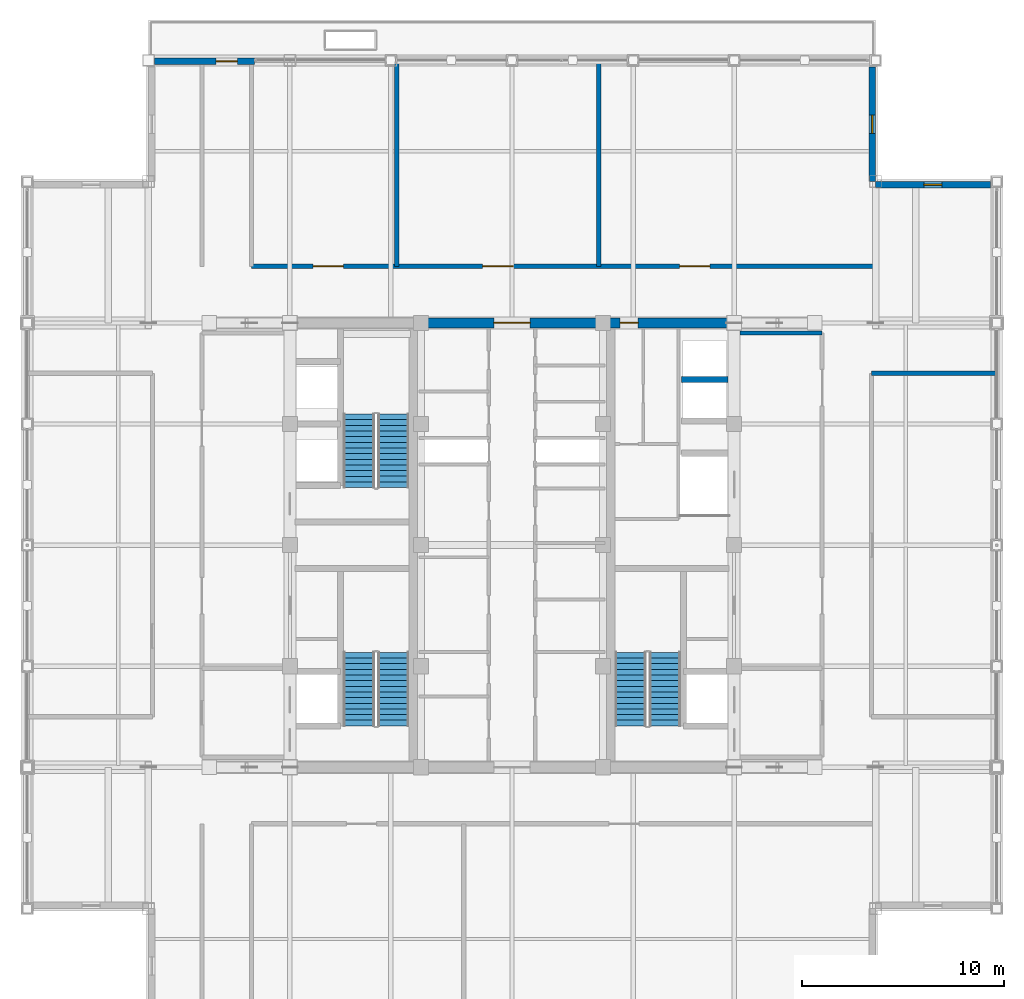
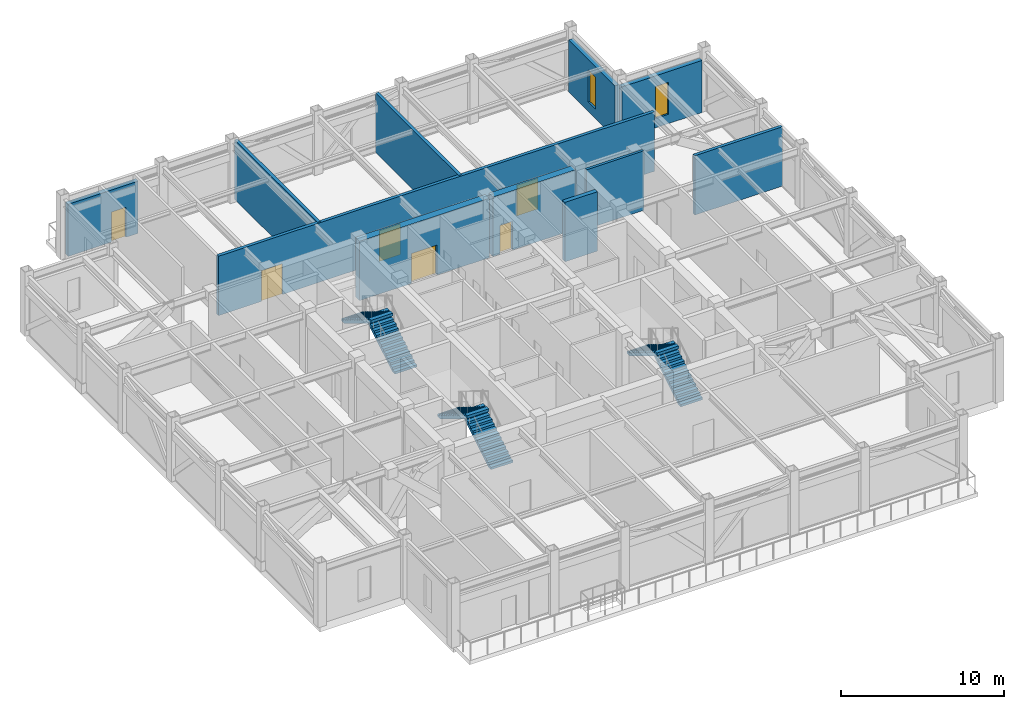
# One storey, part 29 of 32: 11 walls, 6 doors, 6 stair flights, 2 windows, 8 openings, 3 elements without a shape of their own.
"""IFC4 building model written with IfcOpenShell, lengths in metres."""

import ifcopenshell
import ifcopenshell.guid

model = None  # the IFC model being written
_history = None  # IfcOwnerHistory: only IFC2X3 demands one
_inside = {}  # id of a spatial element -> (the spatial element, [elements in it])
_under = {}  # id of a project, library or spatial element -> (it, [spatial elements below it])
_declared = {}  # id of a project -> (the project, [libraries it declares])
_typed = {}  # id of a type object -> (the type object, [elements of that type])
_made_of = {}  # id of a material, layer set ... -> (it, [elements and type objects made of it])


def new_model(schema):
    """Start an empty IFC model of exactly this schema.

    Asked for "IFC4X3", IfcOpenShell would pick the latest addendum, in which some entities
    have other attributes; the version numbers below select the first issue.
    IFC2X3 requires an IfcOwnerHistory on every rooted entity: one is made here for all.
    """
    global model, _history
    if schema == "IFC4X3":
        model = ifcopenshell.file(schema_version=(4, 3, 0, 0))
    else:
        model = ifcopenshell.file(schema=schema)
    _inside.clear()
    _under.clear()
    _declared.clear()
    _typed.clear()
    _made_of.clear()
    _history = None
    if model.schema == "IFC2X3":
        org = make("IfcOrganization", Name="unknown")
        user = make(
            "IfcPersonAndOrganization",
            ThePerson=make("IfcPerson", FamilyName="unknown"),
            TheOrganization=org,
        )
        app = make(
            "IfcApplication",
            ApplicationDeveloper=org,
            Version="unknown",
            ApplicationFullName="unknown",
            ApplicationIdentifier="unknown",
        )
        _history = make(
            "IfcOwnerHistory",
            OwningUser=user,
            OwningApplication=app,
            ChangeAction="ADDED",
            CreationDate=0,
        )
    return model


def make(cls, **values):
    """One entity of the class cls with the attributes given. An attribute that is None is left unset."""
    return model.create_entity(
        cls, **{name: value for name, value in values.items() if value is not None}
    )


def rooted(cls, **values):
    """An entity with a GlobalId (a new one), such as an element, a storey or a relation."""
    return make(cls, GlobalId=ifcopenshell.guid.new(), OwnerHistory=_history, **values)


def si_unit(unit_type, name, prefix=None):
    """IfcSIUnit, for example si_unit("LENGTHUNIT", "METRE", prefix="MILLI")."""
    return make("IfcSIUnit", UnitType=unit_type, Prefix=prefix, Name=name)


def assignment(units):
    """IfcUnitAssignment: the units of a project."""
    return None if units is None else make("IfcUnitAssignment", Units=units)


def point(xyz):
    """IfcCartesianPoint."""
    return None if xyz is None else make("IfcCartesianPoint", Coordinates=xyz)


def direction(xyz):
    """IfcDirection."""
    return None if xyz is None else make("IfcDirection", DirectionRatios=xyz)


def frame(location, z_axis=None, x_axis=None):
    """IfcAxis2Placement3D, a coordinate frame: its origin and axes. An axis left out is left unset."""
    return make(
        "IfcAxis2Placement3D",
        Location=point(location),
        Axis=direction(z_axis),
        RefDirection=direction(x_axis),
    )


def frame_2d(location, x_axis=None):
    """IfcAxis2Placement2D, a coordinate frame in the plane: its origin and x axis."""
    return make(
        "IfcAxis2Placement2D", Location=point(location), RefDirection=direction(x_axis)
    )


def origin():
    """The frame at (0, 0, 0) with its axes left unset."""
    return frame((0.0, 0.0, 0.0))


def place(relative_to, where):
    """IfcLocalPlacement: puts the frame where relative to a parent placement (None: the world)."""
    return make(
        "IfcLocalPlacement", PlacementRelTo=relative_to, RelativePlacement=where
    )


def context(
    kind, dimensions, precision=None, world=None, true_north=None, identifier=None
):
    """IfcGeometricRepresentationContext, for example the 3D "Model" context."""
    return make(
        "IfcGeometricRepresentationContext",
        ContextIdentifier=identifier,
        ContextType=kind,
        CoordinateSpaceDimension=dimensions,
        Precision=precision,
        WorldCoordinateSystem=world,
        TrueNorth=true_north,
    )


def subcontext(parent, identifier, kind, view, scale=None):
    """IfcGeometricRepresentationSubContext, for example "Body" below "Model"."""
    return make(
        "IfcGeometricRepresentationSubContext",
        ContextIdentifier=identifier,
        ContextType=kind,
        ParentContext=parent,
        TargetScale=scale,
        TargetView=view,
    )


def project(units=None, contexts=None):
    """IfcProject with its units and contexts."""
    return rooted(
        "IfcProject",
        Name="project",
        RepresentationContexts=contexts,
        UnitsInContext=assignment(units),
    )


def spatial(cls, under=None, at=None, **own):
    """A site, building, storey or space (cls), placed at a placement, below another one or the project."""
    s = rooted(cls, ObjectPlacement=at, **own)
    if under is not None:
        _under.setdefault(under.id(), (under, []))[1].append(s)
    return s


def polyline(points):
    """IfcPolyline through the points."""
    return make("IfcPolyline", Points=[point(p) for p in points])


def profile(cls, at=None, kind="AREA", **sizes):
    """A parametric profile (cls). Its sizes go by their IFC names, for example OverallWidth=200.0."""
    return make(cls, ProfileType=kind, Position=at, **sizes)


def rectangle(**sizes):
    """IfcRectangleProfileDef."""
    return profile("IfcRectangleProfileDef", **sizes)


def outline(outer, holes=None, kind="AREA"):
    """IfcArbitraryClosedProfileDef: a profile drawn as a closed curve; with holes, ...WithVoids."""
    if holes is None:
        return make("IfcArbitraryClosedProfileDef", ProfileType=kind, OuterCurve=outer)
    return make(
        "IfcArbitraryProfileDefWithVoids",
        ProfileType=kind,
        OuterCurve=outer,
        InnerCurves=holes,
    )


def extrude(swept, where, along, depth):
    """IfcExtrudedAreaSolid: the profile swept, set in the frame where, extruded along a direction by depth."""
    return make(
        "IfcExtrudedAreaSolid",
        SweptArea=swept,
        Position=where,
        ExtrudedDirection=direction(along),
        Depth=depth,
    )


def shape(context_of_items, identifier, shape_type, items):
    """IfcShapeRepresentation: the items that make up one representation, for example the "Body"."""
    return make(
        "IfcShapeRepresentation",
        ContextOfItems=context_of_items,
        RepresentationIdentifier=identifier,
        RepresentationType=shape_type,
        Items=items,
    )


def source(mapping_origin, context_of_items, identifier, shape_type, items):
    """IfcRepresentationMap: a shape defined once, which mapped items show again and again."""
    return make(
        "IfcRepresentationMap",
        MappingOrigin=mapping_origin,
        MappedRepresentation=shape(context_of_items, identifier, shape_type, items),
    )


def transform(
    local_origin,
    x_axis=None,
    y_axis=None,
    z_axis=None,
    scale=None,
    scale2=None,
    scale3=None,
    uniform=True,
):
    """IfcCartesianTransformationOperator3D, or its non-uniform kind. x_axis, y_axis, z_axis: its Axis1, 2, 3."""
    if uniform:
        return make(
            "IfcCartesianTransformationOperator3D",
            Axis1=direction(x_axis),
            Axis2=direction(y_axis),
            LocalOrigin=point(local_origin),
            Scale=scale,
            Axis3=direction(z_axis),
        )
    return make(
        "IfcCartesianTransformationOperator3DnonUniform",
        Axis1=direction(x_axis),
        Axis2=direction(y_axis),
        LocalOrigin=point(local_origin),
        Scale=scale,
        Axis3=direction(z_axis),
        Scale2=scale2,
        Scale3=scale3,
    )


def mapped(mapping_source, mapping_target):
    """IfcMappedItem: shows the shape of a source again, moved by a transform."""
    return make(
        "IfcMappedItem", MappingSource=mapping_source, MappingTarget=mapping_target
    )


def material(Name=None, Category=None):
    """IfcMaterial."""
    return make("IfcMaterial", Name=Name, Category=Category)


def layer(
    of_material, thickness, ventilated=None, Name=None, Category=None, Priority=None
):
    """IfcMaterialLayer: one layer of a wall or slab, of a material (None: an air gap)."""
    return make(
        "IfcMaterialLayer",
        Material=of_material,
        LayerThickness=thickness,
        IsVentilated=ventilated,
        Name=Name,
        Category=Category,
        Priority=Priority,
    )


def layer_set(layers, Name=None):
    """IfcMaterialLayerSet."""
    return make("IfcMaterialLayerSet", MaterialLayers=layers, LayerSetName=Name)


def made_of(thing, what):
    """Note that an element or type object is made of a material, layer set ...; save() writes the relation."""
    if what is not None:
        _made_of.setdefault(what.id(), (what, []))[1].append(thing)
    return thing


def type_object(cls, material=None, **own):
    """A type object (cls), such as IfcWallType, which elements share."""
    return made_of(rooted(cls, **own), material)


def element(
    cls,
    number,
    at=None,
    inside=None,
    cuts=None,
    type_object=None,
    material=None,
    context=None,
    identifier="Body",
    shape_type=None,
    held_by="IfcProductDefinitionShape",
    body=None,
    shapes=None,
    **own,
):
    """One element of the class cls, such as IfcWall. Its Tag is "e" and its number.

    at: its placement. inside: the storey or other place that contains it. cuts: it is an
    opening in that element (IfcRelVoidsElement). A single representation is given by context,
    identifier, shape_type and body (its items); several are given by shapes. held_by: the class
    of the entity that holds the representations. save() writes the other relations.
    """
    e = rooted(cls, Tag="e%d" % number, ObjectPlacement=at, **own)
    if body is not None:
        shapes = [shape(context, identifier, shape_type, body)]
    if shapes is not None:
        e.Representation = make(held_by, Representations=shapes)
    if inside is not None:
        _inside.setdefault(inside.id(), (inside, []))[1].append(e)
    if cuts is not None:
        rooted(
            "IfcRelVoidsElement", RelatingBuildingElement=cuts, RelatedOpeningElement=e
        )
    if type_object is not None:
        _typed.setdefault(type_object.id(), (type_object, []))[1].append(e)
    return made_of(e, material)


def fill(opening, filler):
    """IfcRelFillsElement: the door or window that sits in an opening."""
    return rooted(
        "IfcRelFillsElement",
        RelatingOpeningElement=opening,
        RelatedBuildingElement=filler,
    )


def aggregate(whole, parts):
    """IfcRelAggregates: a whole, such as a stair, and the parts it consists of."""
    return rooted("IfcRelAggregates", RelatingObject=whole, RelatedObjects=parts)


def save(model, path):
    """Write the relations noted so far, then the file.

    IfcRelAggregates (storeys below a building ...), IfcRelContainedInSpatialStructure (elements
    in a storey), IfcRelDefinesByType, IfcRelAssociatesMaterial and IfcRelDeclares: one each for
    every whole, place, type object, material and project.
    """
    for whole, parts in _under.values():
        aggregate(whole, parts)
    for where, things in _inside.values():
        rooted(
            "IfcRelContainedInSpatialStructure",
            RelatedElements=things,
            RelatingStructure=where,
        )
    for kind, things in _typed.values():
        rooted("IfcRelDefinesByType", RelatedObjects=things, RelatingType=kind)
    for what, things in _made_of.values():
        rooted("IfcRelAssociatesMaterial", RelatedObjects=things, RelatingMaterial=what)
    for by, libraries in _declared.values():
        rooted("IfcRelDeclares", RelatingContext=by, RelatedDefinitions=libraries)
    model.write(path)


model = new_model("IFC4")

# Units and contexts
model_context = context("Model", 3, precision=1e-05, world=origin(), true_north=direction((0.0, 1.0)))
body_context = subcontext(model_context, "Body", "Model", "MODEL_VIEW")
ifc_project = project(units=[si_unit("LENGTHUNIT", "METRE"), si_unit("AREAUNIT", "SQUARE_METRE"), si_unit("VOLUMEUNIT", "CUBIC_METRE"), si_unit("PLANEANGLEUNIT", "RADIAN"), si_unit("MASSUNIT", "GRAM", prefix="KILO")], contexts=[model_context])

# Site, building, storey
site_placement = place(None, origin())
site = spatial("IfcSite", under=ifc_project, at=site_placement, CompositionType="ELEMENT")
building_placement = place(site_placement, origin())
building = spatial("IfcBuilding", under=site, at=building_placement, Name="Khorayat Bourse Tower", CompositionType="ELEMENT")
storey_placement = place(building_placement, frame((0.0, 0.0, 375.5)))
storey = spatial("IfcBuildingStorey", under=building, at=storey_placement, Name="L89", CompositionType="ELEMENT", Elevation=375.5)

# Wall, opening, door
ifc_material_1 = material(Name="Concrete C52/65", Category="concrete")
ifc_layer_1 = layer(ifc_material_1, 0.5)
ifc_layer_set_1 = layer_set([ifc_layer_1], Name="Concrete C52/65")
wall_type_1 = type_object("IfcWallType", Name="WAL-CORE-500", PredefinedType="SHEAR", material=ifc_layer_set_1)
shared_shape_1 = source(origin(), body_context, "Body", "SweptSolid", [
    extrude(rectangle(XDim=5.89990234375, YDim=0.5, at=frame_2d((2.949951171875, 0.0))), origin(), (0.0, 0.0, 1.0), 4.449951171875),
])
wall_1_placement = place(storey_placement, frame((4.85009765625, 11.0, 0.0), z_axis=(0.0, 0.0, 1.0), x_axis=(1.0, 0.0, 0.0)))
wall_1 = element("IfcWall", 1, at=wall_1_placement, inside=storey, type_object=wall_type_1, Name="L89 Core Shear Wall PIER-EN", PredefinedType="SHEAR", context=body_context, shape_type="MappedRepresentation", body=[
    mapped(shared_shape_1, transform((0.0, 0.0, 0.0), scale=1.0)),
])
shared_shape_2 = source(origin(), body_context, "Body", "SweptSolid", [
    extrude(rectangle(XDim=0.89990234375, YDim=2.14990234375, at=frame_2d((0.449951171875, 1.074951171875))), frame((0.0, 0.260009765625, 0.0), z_axis=(0.0, -1.0, 0.0), x_axis=(1.0, 0.0, 0.0)), (0.0, 0.0, 1.0), 0.52001953125),
])
opening_1_placement = place(wall_1_placement, frame((0.5, 0.0, 0.0)))
opening_1 = element("IfcOpeningElement", 2, at=opening_1_placement, cuts=wall_1, Name="Opening DI-06", PredefinedType="OPENING", context=body_context, shape_type="MappedRepresentation", body=[
    mapped(shared_shape_2, transform((0.0, 0.0, 0.0), scale=1.0)),
])
ifc_material_2 = material(Name="Moisture-resistant laminate washroom door")
door_type_1 = type_object("IfcDoorType", Name="DR-INT-WC-900", OperationType="NOTDEFINED", PredefinedType="DOOR", material=ifc_material_2)
shared_shape_3 = source(origin(), body_context, "Body", "SweptSolid", [
    extrude(rectangle(XDim=0.89990234375, YDim=2.14990234375, at=frame_2d((0.449951171875, 1.074951171875))), frame((0.0, 0.02490234375, 0.0), z_axis=(0.0, -1.0, 0.0), x_axis=(1.0, 0.0, 0.0)), (0.0, 0.0, 1.0), 0.050048828125),
])
door_1_placement = place(opening_1_placement, origin())
door_1 = element("IfcDoor", 3, at=door_1_placement, inside=storey, type_object=door_type_1, Name="L89 Core Washroom Lobby Door", OperationType="SINGLE_SWING_LEFT", OverallHeight=2.14990234375, OverallWidth=0.89990234375, PredefinedType="DOOR", context=body_context, shape_type="MappedRepresentation", body=[
    mapped(shared_shape_3, transform((0.0, 0.0, 0.0), scale=1.0)),
])
fill(opening_1, door_1)

shared_shape_4 = source(origin(), body_context, "Body", "SweptSolid", [
    extrude(rectangle(XDim=9.2001953125, YDim=0.5, at=frame_2d((4.60009765625, 0.0))), origin(), (0.0, 0.0, 1.0), 4.449951171875),
])
wall_2_placement = place(storey_placement, frame((-4.60009765625, 11.0, 0.0), z_axis=(0.0, 0.0, 1.0), x_axis=(1.0, 0.0, 0.0)))
wall_2 = element("IfcWall", 4, at=wall_2_placement, inside=storey, type_object=wall_type_1, Name="L89 Core Shear Wall CORE-N", PredefinedType="SHEAR", context=body_context, shape_type="MappedRepresentation", body=[
    mapped(shared_shape_4, transform((0.0, 0.0, 0.0), scale=1.0)),
])
shared_shape_5 = source(origin(), body_context, "Body", "SweptSolid", [
    extrude(rectangle(XDim=1.800048828125, YDim=2.25, at=frame_2d((0.89990234375, 1.125))), frame((0.0, 0.260009765625, 0.0), z_axis=(0.0, -1.0, 0.0), x_axis=(1.0, 0.0, 0.0)), (0.0, 0.0, 1.0), 0.52001953125),
])
opening_2_placement = place(wall_2_placement, frame((3.699951171875, 0.0, 0.0)))
opening_2 = element("IfcOpeningElement", 5, at=opening_2_placement, cuts=wall_2, Name="Opening DI-03", PredefinedType="OPENING", context=body_context, shape_type="MappedRepresentation", body=[
    mapped(shared_shape_5, transform((0.0, 0.0, 0.0), scale=1.0)),
])
ifc_material_3 = material(Name="Fire-rated hardwood vision-panel double leaf", Category="wood")
door_type_2 = type_object("IfcDoorType", Name="DR-INT-CORR-1800", OperationType="NOTDEFINED", PredefinedType="DOOR", material=ifc_material_3)
shared_shape_6 = source(origin(), body_context, "Body", "SweptSolid", [
    extrude(rectangle(XDim=1.800048828125, YDim=2.25, at=frame_2d((0.89990234375, 1.125))), frame((0.0, 0.02490234375, 0.0), z_axis=(0.0, -1.0, 0.0), x_axis=(1.0, 0.0, 0.0)), (0.0, 0.0, 1.0), 0.050048828125),
])
door_2_placement = place(opening_2_placement, origin())
door_2 = element("IfcDoor", 6, at=door_2_placement, inside=storey, type_object=door_type_2, Name="L89 Central Core North Passage Door", OperationType="SINGLE_SWING_RIGHT", OverallHeight=2.25, OverallWidth=1.800048828125, PredefinedType="DOOR", context=body_context, shape_type="MappedRepresentation", body=[
    mapped(shared_shape_6, transform((0.0, 0.0, 0.0), scale=1.0)),
])
fill(opening_2, door_2)

# Wall, opening, window
ifc_material_4 = material(Name="Precast concrete C45/55", Category="concrete")
ifc_layer_2 = layer(ifc_material_4, 0.320068359375)
ifc_layer_set_2 = layer_set([ifc_layer_2], Name="Precast concrete C45/55")
wall_type_2 = type_object("IfcWallType", Name="WAL-EXT-STONE-320", PredefinedType="STANDARD", material=ifc_layer_set_2)
shared_shape_7 = source(origin(), body_context, "Body", "SweptSolid", [
    extrude(rectangle(XDim=5.679931640625, YDim=0.320068359375, at=frame_2d((2.83984375, 0.0))), origin(), (0.0, 0.0, 1.0), 3.90087890625),
])
wall_3_placement = place(storey_placement, frame((18.0, 17.840087890625, 0.0), z_axis=(0.0, 0.0, 1.0), x_axis=(1.0, 0.0, 0.0)))
wall_3 = element("IfcWall", 7, at=wall_3_placement, inside=storey, type_object=wall_type_2, Name="L89 Re-Entrant Notch Limestone Wall NE-H", PredefinedType="STANDARD", context=body_context, shape_type="MappedRepresentation", body=[
    mapped(shared_shape_7, transform((0.0, 0.0, 0.0), scale=1.0)),
])
shared_shape_8 = source(origin(), body_context, "Body", "SweptSolid", [
    extrude(rectangle(XDim=0.89990234375, YDim=2.39990234375, at=frame_2d((0.449951171875, 1.199951171875))), frame((0.0, 0.169921875, 0.0), z_axis=(0.0, -1.0, 0.0), x_axis=(1.0, 0.0, 0.0)), (0.0, 0.0, 1.0), 0.340087890625),
])
opening_3_placement = place(wall_3_placement, frame((2.389892578125, 0.0, 0.699951171875)))
opening_3 = element("IfcOpeningElement", 8, at=opening_3_placement, cuts=wall_3, Name="Opening WN-03", PredefinedType="OPENING", context=body_context, shape_type="MappedRepresentation", body=[
    mapped(shared_shape_8, transform((0.0, 0.0, 0.0), scale=1.0)),
])
ifc_material_5 = material(Name="Deep-reveal solar-control double glazing", Category="glass")
window_type = type_object("IfcWindowType", Name="WIN-SLOT-900x2400", PartitioningType="SINGLE_PANEL", PredefinedType="WINDOW", material=ifc_material_5)
shared_shape_9 = source(origin(), body_context, "Body", "SweptSolid", [
    extrude(rectangle(XDim=0.89990234375, YDim=2.39990234375, at=frame_2d((0.449951171875, 1.199951171875))), frame((0.0, 0.030029296875, 0.0), z_axis=(0.0, -1.0, 0.0), x_axis=(1.0, 0.0, 0.0)), (0.0, 0.0, 1.0), 0.06005859375),
])
window_1_placement = place(opening_3_placement, origin())
window_1 = element("IfcWindow", 9, at=window_1_placement, inside=storey, type_object=window_type, Name="L89 Facade Window 1", OverallHeight=2.39990234375, OverallWidth=0.89990234375, PartitioningType="SINGLE_PANEL", PredefinedType="WINDOW", context=body_context, shape_type="MappedRepresentation", body=[
    mapped(shared_shape_9, transform((0.0, 0.0, 0.0), scale=1.0)),
])
fill(opening_3, window_1)

wall_4_placement = place(storey_placement, frame((17.840087890625, 18.0, 0.0), z_axis=(0.0, 0.0, 1.0), x_axis=(0.0, 1.0, 0.0)))
wall_4 = element("IfcWall", 10, at=wall_4_placement, inside=storey, type_object=wall_type_2, Name="L89 Re-Entrant Notch Limestone Wall NE-V", PredefinedType="STANDARD", context=body_context, shape_type="MappedRepresentation", body=[
    mapped(shared_shape_7, transform((0.0, 0.0, 0.0), scale=1.0)),
])
opening_4_placement = place(wall_4_placement, frame((2.389892578125, 0.0, 0.699951171875)))
opening_4 = element("IfcOpeningElement", 11, at=opening_4_placement, cuts=wall_4, Name="Opening WN-03", PredefinedType="OPENING", context=body_context, shape_type="MappedRepresentation", body=[
    mapped(shared_shape_8, transform((0.0, 0.0, 0.0), scale=1.0)),
])
window_2_placement = place(opening_4_placement, origin())
window_2 = element("IfcWindow", 12, at=window_2_placement, inside=storey, type_object=window_type, Name="L89 Facade Window 1", OverallHeight=2.39990234375, OverallWidth=0.89990234375, PartitioningType="SINGLE_PANEL", PredefinedType="WINDOW", context=body_context, shape_type="MappedRepresentation", body=[
    mapped(shared_shape_9, transform((0.0, 0.0, 0.0), scale=1.0)),
])
fill(opening_4, window_2)

# Wall, opening, door
shared_shape_10 = source(origin(), body_context, "Body", "SweptSolid", [
    extrude(rectangle(XDim=4.9599609375, YDim=0.320068359375, at=frame_2d((2.47998046875, 0.0))), origin(), (0.0, 0.0, 1.0), 3.90087890625),
])
wall_5_placement = place(storey_placement, frame((-17.7099609375, 23.952392578125, 0.0), z_axis=(0.0, 0.0, 1.0), x_axis=(1.0, 0.0, 0.0)))
wall_5 = element("IfcWall", 13, at=wall_5_placement, inside=storey, type_object=wall_type_2, Name="L89 Exterior Limestone Wall WAL-L89-TDPORT-N1", PredefinedType="STANDARD", context=body_context, shape_type="MappedRepresentation", body=[
    mapped(shared_shape_10, transform((0.0, 0.0, 0.0), scale=1.0)),
])
shared_shape_11 = source(origin(), body_context, "Body", "SweptSolid", [
    extrude(rectangle(XDim=1.050048828125, YDim=2.25, at=frame_2d((0.52490234375, 1.125))), frame((0.0, 0.169921875, 0.0), z_axis=(0.0, -1.0, 0.0), x_axis=(1.0, 0.0, 0.0)), (0.0, 0.0, 1.0), 0.340087890625),
])
opening_5_placement = place(wall_5_placement, frame((3.06005859375, 0.0, 0.0)))
opening_5 = element("IfcOpeningElement", 14, at=opening_5_placement, cuts=wall_5, Name="Opening DE-05", PredefinedType="OPENING", context=body_context, shape_type="MappedRepresentation", body=[
    mapped(shared_shape_11, transform((0.0, 0.0, 0.0), scale=1.0)),
])
ifc_material_6 = material(Name="Thermally broken aluminium terrace door", Category="aluminium")
door_type_3 = type_object("IfcDoorType", Name="DR-EXT-TERR-1050", OperationType="NOTDEFINED", PredefinedType="DOOR", material=ifc_material_6)
shared_shape_12 = source(origin(), body_context, "Body", "SweptSolid", [
    extrude(rectangle(XDim=1.050048828125, YDim=2.25, at=frame_2d((0.52490234375, 1.125))), frame((0.0, 0.02490234375, 0.0), z_axis=(0.0, -1.0, 0.0), x_axis=(1.0, 0.0, 0.0)), (0.0, 0.0, 1.0), 0.050048828125),
])
door_3_placement = place(opening_5_placement, origin())
door_3 = element("IfcDoor", 15, at=door_3_placement, inside=storey, type_object=door_type_3, Name="L89 North Crown Terrace Door", OperationType="SINGLE_SWING_RIGHT", OverallHeight=2.25, OverallWidth=1.050048828125, PredefinedType="DOOR", context=body_context, shape_type="MappedRepresentation", body=[
    mapped(shared_shape_12, transform((0.0, 0.0, 0.0), scale=1.0)),
])
fill(opening_5, door_3)

# Walls
ifc_material_7 = material(Name="Concrete C50/60", Category="concrete")
ifc_layer_3 = layer(ifc_material_7, 0.300048828125)
ifc_layer_set_3 = layer_set([ifc_layer_3], Name="Concrete C50/60")
wall_type_3 = type_object("IfcWallType", Name="WAL-SHAFT-300", PredefinedType="SHEAR", material=ifc_layer_set_3)
shared_shape_13 = source(origin(), body_context, "Body", "SweptSolid", [
    extrude(rectangle(XDim=2.300048828125, YDim=0.300048828125, at=frame_2d((1.14990234375, 0.0))), origin(), (0.0, 0.0, 1.0), 4.449951171875),
])
wall_6_placement = place(storey_placement, frame((8.39990234375, 8.199951171875, 0.0), z_axis=(0.0, 0.0, 1.0), x_axis=(1.0, 0.0, 0.0)))
element("IfcWall", 16, at=wall_6_placement, inside=storey, type_object=wall_type_3, Name="L89 Partition WAL-L89-EPIER-H34", PredefinedType="SHEAR", context=body_context, shape_type="MappedRepresentation", body=[
    mapped(shared_shape_13, transform((0.0, 0.0, 0.0), scale=1.0)),
])
ifc_material_8 = material(Name="Gypsum plasterboard acoustic stud wall")
ifc_layer_4 = layer(ifc_material_8, 0.179931640625)
ifc_layer_set_4 = layer_set([ifc_layer_4], Name="Gypsum plasterboard acoustic stud wall")
wall_type_4 = type_object("IfcWallType", Name="WAL-PART-CORR-180", PredefinedType="PARTITIONING", material=ifc_layer_set_4)
shared_shape_14 = source(origin(), body_context, "Body", "SweptSolid", [
    extrude(rectangle(XDim=4.050048828125, YDim=0.179931640625, at=frame_2d((2.02490234375, 0.0))), origin(), (0.0, 0.0, 1.0), 4.449951171875),
])
wall_7_placement = place(storey_placement, frame((11.300048828125, 10.5, 0.0), z_axis=(0.0, 0.0, 1.0), x_axis=(1.0, 0.0, 0.0)))
element("IfcWall", 17, at=wall_7_placement, inside=storey, type_object=wall_type_4, Name="L89 Partition WAL-L89-ELOB-N", PredefinedType="PARTITIONING", context=body_context, shape_type="MappedRepresentation", body=[
    mapped(shared_shape_14, transform((0.0, 0.0, 0.0), scale=1.0)),
])
ifc_material_9 = material(Name="Aerated concrete blockwork", Category="masonry")
ifc_layer_5 = layer(ifc_material_9, 0.219970703125)
ifc_layer_set_5 = layer_set([ifc_layer_5], Name="Aerated concrete blockwork")
wall_type_5 = type_object("IfcWallType", Name="WAL-PART-FF-220", PredefinedType="PARTITIONING", material=ifc_layer_set_5)
shared_shape_15 = source(origin(), body_context, "Body", "SweptSolid", [
    extrude(rectangle(XDim=10.199951171875, YDim=0.219970703125, at=frame_2d((5.10009765625, 0.0))), origin(), (0.0, 0.0, 1.0), 4.449951171875),
])
for number, where, z_axis, x_axis, name in (
    (18, (-5.699951171875, 13.800048828125, 0.0), (0.0, 0.0, 1.0), (0.0, 1.0, 0.0), "L89 Partition WAL-L89-PLN-D1"),
    (19, (4.300048828125, 13.800048828125, 0.0), (0.0, 0.0, 1.0), (0.0, 1.0, 0.0), "L89 Partition WAL-L89-PLN-D2"),
):
    element("IfcWall", number, at=place(storey_placement, frame(where, z_axis=z_axis, x_axis=x_axis)), inside=storey, type_object=wall_type_5, Name=name, PredefinedType="PARTITIONING", context=body_context, shape_type="MappedRepresentation", body=[
        mapped(shared_shape_15, transform((0.0, 0.0, 0.0), scale=1.0)),
    ])

# Wall, openings, doors
shared_shape_16 = source(origin(), body_context, "Body", "SweptSolid", [
    extrude(rectangle(XDim=30.89990234375, YDim=0.219970703125, at=frame_2d((15.449951171875, 0.0))), origin(), (0.0, 0.0, 1.0), 4.449951171875),
])
wall_8_placement = place(storey_placement, frame((-12.89990234375, 13.800048828125, 0.0), z_axis=(0.0, 0.0, 1.0), x_axis=(1.0, 0.0, 0.0)))
wall_8 = element("IfcWall", 20, at=wall_8_placement, inside=storey, type_object=wall_type_5, Name="L89 Partition WAL-L89-PLN-S", PredefinedType="PARTITIONING", context=body_context, shape_type="MappedRepresentation", body=[
    mapped(shared_shape_16, transform((0.0, 0.0, 0.0), scale=1.0)),
])
shared_shape_17 = source(origin(), body_context, "Body", "SweptSolid", [
    extrude(rectangle(XDim=1.5, YDim=2.300048828125, at=frame_2d((0.75, 1.14990234375))), frame((0.0, 0.119873046875, 0.0), z_axis=(0.0, -1.0, 0.0), x_axis=(1.0, 0.0, 0.0)), (0.0, 0.0, 1.0), 0.239990234375),
])
opening_6_placement = place(wall_8_placement, frame((3.050048828125, 0.0, 0.0)))
opening_6 = element("IfcOpeningElement", 21, at=opening_6_placement, cuts=wall_8, Name="Opening DI-07", PredefinedType="OPENING", context=body_context, shape_type="MappedRepresentation", body=[
    mapped(shared_shape_17, transform((0.0, 0.0, 0.0), scale=1.0)),
])
opening_7_placement = place(wall_8_placement, frame((11.449951171875, 0.0, 0.0)))
opening_7 = element("IfcOpeningElement", 22, at=opening_7_placement, cuts=wall_8, Name="Opening DI-07", PredefinedType="OPENING", context=body_context, shape_type="MappedRepresentation", body=[
    mapped(shared_shape_17, transform((0.0, 0.0, 0.0), scale=1.0)),
])
opening_8_placement = place(wall_8_placement, frame((21.199951171875, 0.0, 0.0)))
opening_8 = element("IfcOpeningElement", 23, at=opening_8_placement, cuts=wall_8, Name="Opening DI-07", PredefinedType="OPENING", context=body_context, shape_type="MappedRepresentation", body=[
    mapped(shared_shape_17, transform((0.0, 0.0, 0.0), scale=1.0)),
])
ifc_material_10 = material(Name="Louvred fire-rated steel plant double door", Category="steel")
door_type_4 = type_object("IfcDoorType", Name="DR-INT-PLANT-1500", OperationType="NOTDEFINED", PredefinedType="DOOR", material=ifc_material_10)
shared_shape_18 = source(origin(), body_context, "Body", "SweptSolid", [
    extrude(rectangle(XDim=1.5, YDim=2.300048828125, at=frame_2d((0.75, 1.14990234375))), frame((0.0, 0.02490234375, 0.0), z_axis=(0.0, -1.0, 0.0), x_axis=(1.0, 0.0, 0.0)), (0.0, 0.0, 1.0), 0.050048828125),
])
door_4_placement = place(opening_6_placement, origin())
door_4 = element("IfcDoor", 24, at=door_4_placement, inside=storey, type_object=door_type_4, Name="L89 AHU Plant Door", OperationType="SINGLE_SWING_LEFT", OverallHeight=2.300048828125, OverallWidth=1.5, PredefinedType="DOOR", context=body_context, shape_type="MappedRepresentation", body=[
    mapped(shared_shape_18, transform((0.0, 0.0, 0.0), scale=1.0)),
])
fill(opening_6, door_4)
door_5_placement = place(opening_7_placement, origin())
door_5 = element("IfcDoor", 25, at=door_5_placement, inside=storey, type_object=door_type_4, Name="L89 HV Switchgear Door", OperationType="SINGLE_SWING_RIGHT", OverallHeight=2.300048828125, OverallWidth=1.5, PredefinedType="DOOR", context=body_context, shape_type="MappedRepresentation", body=[
    mapped(shared_shape_18, transform((0.0, 0.0, 0.0), scale=1.0)),
])
fill(opening_7, door_5)
door_6_placement = place(opening_8_placement, origin())
door_6 = element("IfcDoor", 26, at=door_6_placement, inside=storey, type_object=door_type_4, Name="L89 BMS Plant Door", OperationType="SINGLE_SWING_LEFT", OverallHeight=2.300048828125, OverallWidth=1.5, PredefinedType="DOOR", context=body_context, shape_type="MappedRepresentation", body=[
    mapped(shared_shape_18, transform((0.0, 0.0, 0.0), scale=1.0)),
])
fill(opening_8, door_6)

# Wall
shared_shape_19 = source(origin(), body_context, "Body", "SweptSolid", [
    extrude(rectangle(XDim=6.199951171875, YDim=0.219970703125, at=frame_2d((3.10009765625, 0.0))), origin(), (0.0, 0.0, 1.0), 4.449951171875),
])
wall_9_placement = place(storey_placement, frame((17.800048828125, 8.5, 0.0), z_axis=(0.0, 0.0, 1.0), x_axis=(1.0, 0.0, 0.0)))
element("IfcWall", 27, at=wall_9_placement, inside=storey, type_object=wall_type_5, Name="L89 Partition WAL-L89-PLE-N", PredefinedType="PARTITIONING", context=body_context, shape_type="MappedRepresentation", body=[
    mapped(shared_shape_19, transform((0.0, 0.0, 0.0), scale=1.0)),
])

# Stair, stair flights
ifc_material_11 = material(Name="Concrete C40/50", Category="concrete")
stair_type = type_object("IfcStairType", Name="STR-CORE-1550", PredefinedType="HALF_TURN_STAIR", material=ifc_material_11)
stair_1_placement = place(storey_placement, origin())
stair_1 = element("IfcStair", 28, at=stair_1_placement, inside=storey, type_object=stair_type, Name="L89 Exit Stair ST-1", PredefinedType="HALF_TURN_STAIR")
stair_flight_type = type_object("IfcStairFlightType", Name="FLT-CORE-1550", PredefinedType="STRAIGHT", material=ifc_material_11)
shared_shape_20 = source(origin(), body_context, "Body", "SweptSolid", [
    extrude(outline(polyline([(0.0, 0.0), (0.0, 0.17138671875), (0.280029296875, 0.17138671875), (0.280029296875, 0.3427734375), (0.56005859375, 0.3427734375), (0.56005859375, 0.514404296875), (0.840087890625, 0.514404296875), (0.840087890625, 0.685791015625), (1.1201171875, 0.685791015625), (1.1201171875, 0.857177734375), (1.39990234375, 0.857177734375), (1.39990234375, 1.028564453125), (1.679931640625, 1.028564453125), (1.679931640625, 1.199951171875), (1.9599609375, 1.199951171875), (1.9599609375, 1.371337890625), (2.239990234375, 1.371337890625), (2.239990234375, 1.54296875), (2.52001953125, 1.54296875), (2.52001953125, 1.71435546875), (2.800048828125, 1.71435546875), (2.800048828125, 1.8857421875), (3.080078125, 1.8857421875), (3.080078125, 2.05712890625), (3.360107421875, 2.05712890625), (3.360107421875, 2.228515625), (3.639892578125, 2.228515625), (3.639892578125, 2.39990234375), (3.639892578125, 2.017578125), (0.344482421875, 0.0), (0.0, 0.0)])), frame((0.0, 0.77490234375, 0.0), z_axis=(0.0, -1.0, 0.0), x_axis=(1.0, 0.0, 0.0)), (0.0, 0.0, 1.0), 1.550048828125),
])
stair_flight_1_placement = place(storey_placement, frame((-5.875, -8.949951171875, 0.0), z_axis=(0.0, 0.0, 1.0), x_axis=(0.0, 1.0, 0.0)))
stair_flight_1 = element("IfcStairFlight", 29, at=stair_flight_1_placement, type_object=stair_flight_type, Name="ST-1 flight 1", NumberOfRisers=14, NumberOfTreads=13, PredefinedType="STRAIGHT", RiserHeight=0.171428571, TreadLength=0.28, context=body_context, shape_type="MappedRepresentation", body=[
    mapped(shared_shape_20, transform((0.0, 0.0, 0.0), scale=1.0)),
])
stair_flight_2_placement = place(storey_placement, frame((-7.574951171875, -5.31005859375, 2.39990234375), z_axis=(0.0, 0.0, 1.0), x_axis=(0.0, -1.0, 0.0)))
stair_flight_2 = element("IfcStairFlight", 30, at=stair_flight_2_placement, type_object=stair_flight_type, Name="ST-1 flight 2", NumberOfRisers=14, NumberOfTreads=13, PredefinedType="STRAIGHT", RiserHeight=0.171428571, TreadLength=0.28, context=body_context, shape_type="MappedRepresentation", body=[
    mapped(shared_shape_20, transform((0.0, 0.0, 0.0), scale=1.0)),
])
aggregate(stair_1, [stair_flight_1, stair_flight_2])

stair_2_placement = place(storey_placement, origin())
stair_2 = element("IfcStair", 31, at=stair_2_placement, inside=storey, type_object=stair_type, Name="L89 Exit Stair ST-2", PredefinedType="HALF_TURN_STAIR")
stair_flight_3_placement = place(storey_placement, frame((-5.875, 2.85009765625, 0.0), z_axis=(0.0, 0.0, 1.0), x_axis=(0.0, 1.0, 0.0)))
stair_flight_3 = element("IfcStairFlight", 32, at=stair_flight_3_placement, type_object=stair_flight_type, Name="ST-2 flight 1", NumberOfRisers=14, NumberOfTreads=13, PredefinedType="STRAIGHT", RiserHeight=0.171428571, TreadLength=0.28, context=body_context, shape_type="MappedRepresentation", body=[
    mapped(shared_shape_20, transform((0.0, 0.0, 0.0), scale=1.0)),
])
stair_flight_4_placement = place(storey_placement, frame((-7.574951171875, 6.489990234375, 2.39990234375), z_axis=(0.0, 0.0, 1.0), x_axis=(0.0, -1.0, 0.0)))
stair_flight_4 = element("IfcStairFlight", 33, at=stair_flight_4_placement, type_object=stair_flight_type, Name="ST-2 flight 2", NumberOfRisers=14, NumberOfTreads=13, PredefinedType="STRAIGHT", RiserHeight=0.171428571, TreadLength=0.28, context=body_context, shape_type="MappedRepresentation", body=[
    mapped(shared_shape_20, transform((0.0, 0.0, 0.0), scale=1.0)),
])
aggregate(stair_2, [stair_flight_3, stair_flight_4])

stair_3_placement = place(storey_placement, origin())
stair_3 = element("IfcStair", 34, at=stair_3_placement, inside=storey, type_object=stair_type, Name="L89 Exit Stair ST-3", PredefinedType="HALF_TURN_STAIR")
stair_flight_5_placement = place(storey_placement, frame((7.574951171875, -8.949951171875, 0.0), z_axis=(0.0, 0.0, 1.0), x_axis=(0.0, 1.0, 0.0)))
stair_flight_5 = element("IfcStairFlight", 35, at=stair_flight_5_placement, type_object=stair_flight_type, Name="ST-3 flight 1", NumberOfRisers=14, NumberOfTreads=13, PredefinedType="STRAIGHT", RiserHeight=0.171428571, TreadLength=0.28, context=body_context, shape_type="MappedRepresentation", body=[
    mapped(shared_shape_20, transform((0.0, 0.0, 0.0), scale=1.0)),
])
stair_flight_6_placement = place(storey_placement, frame((5.875, -5.31005859375, 2.39990234375), z_axis=(0.0, 0.0, 1.0), x_axis=(0.0, -1.0, 0.0)))
stair_flight_6 = element("IfcStairFlight", 36, at=stair_flight_6_placement, type_object=stair_flight_type, Name="ST-3 flight 2", NumberOfRisers=14, NumberOfTreads=13, PredefinedType="STRAIGHT", RiserHeight=0.171428571, TreadLength=0.28, context=body_context, shape_type="MappedRepresentation", body=[
    mapped(shared_shape_20, transform((0.0, 0.0, 0.0), scale=1.0)),
])
aggregate(stair_3, [stair_flight_5, stair_flight_6])

save(model, "model.ifc")
